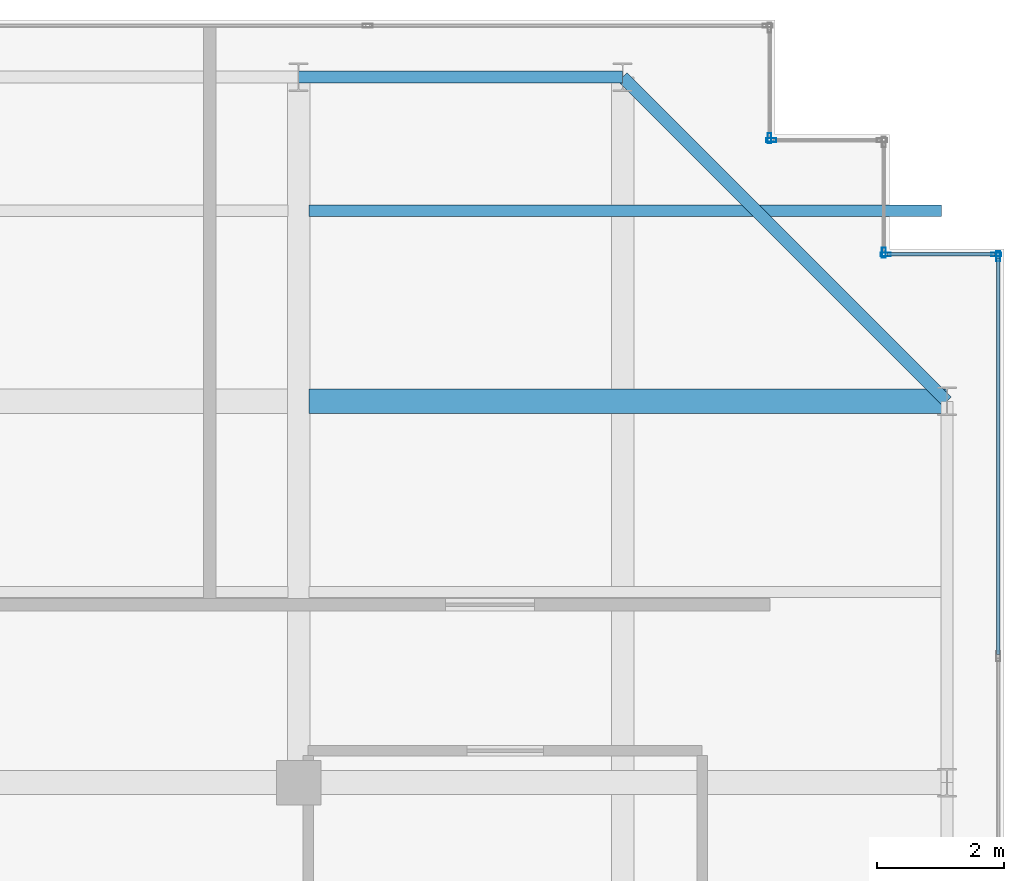
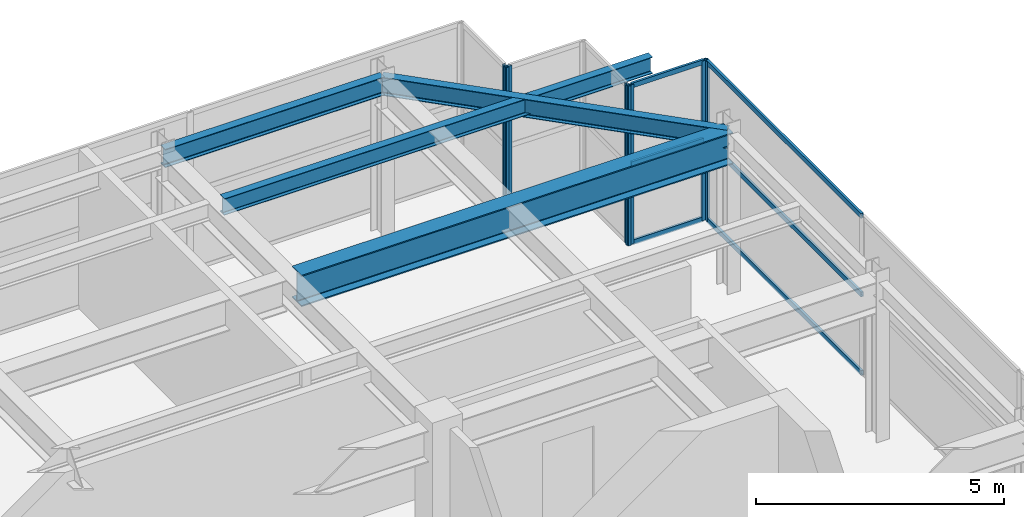
# One storey, part 27 of 32: 12 members, 4 beams, 5 elements without a shape of their own.
"""IFC4 building model written with IfcOpenShell, lengths in metres."""

from ifc_helpers import new_model, si_unit, direction, frame, origin, origin_2d, place, context, subcontext, project, spatial, hollow_rectangle, i_section, extrude, source, transform, mapped, material, layer, layer_set, material_profile, profile_set, type_object, element, aggregate, save


model = new_model("IFC4")

# Units and contexts
model_context = context("Model", 3, precision=1e-05, world=origin(), true_north=direction((0.0, 1.0)))
body_context = subcontext(model_context, "Body", "Model", "MODEL_VIEW")
ifc_project = project(units=[si_unit("LENGTHUNIT", "METRE"), si_unit("AREAUNIT", "SQUARE_METRE"), si_unit("VOLUMEUNIT", "CUBIC_METRE"), si_unit("PLANEANGLEUNIT", "RADIAN"), si_unit("MASSUNIT", "GRAM", prefix="KILO")], contexts=[model_context])

# Site, building, storey
site_placement = place(None, origin())
site = spatial("IfcSite", under=ifc_project, at=site_placement, CompositionType="ELEMENT")
building_placement = place(site_placement, origin())
building = spatial("IfcBuilding", under=site, at=building_placement, Name="Khoralis Quay Care Tower", CompositionType="ELEMENT")
storey_placement = place(building_placement, frame((0.0, 0.0, 306.300048828125)))
storey = spatial("IfcBuildingStorey", under=building, at=storey_placement, Name="L80", CompositionType="ELEMENT", Elevation=306.300048828125)

# Beams
ifc_material_1 = material(Name="Steel S355", Category="steel")
ifc_material_profile_1 = material_profile(ifc_material_1, i_section(OverallWidth=0.18994140625, OverallDepth=0.449951171875, WebThickness=0.009521484375, FlangeThickness=0.0146484375, FilletRadius=0.02099609375, at=origin_2d()), Name="Steel S355")
ifc_profile_set_1 = profile_set([ifc_material_profile_1], Name="Steel S355")
beam_type_1 = type_object("IfcBeamType", Name="BM-IPE450", PredefinedType="SPANDREL", material=ifc_profile_set_1)
shared_shape_1 = source(origin(), body_context, "Body", "SweptSolid", [
    extrude(i_section(OverallWidth=0.18994140625, OverallDepth=0.449951171875, WebThickness=0.009521484375, FlangeThickness=0.0146484375, FilletRadius=0.02099609375, at=origin_2d()), origin(), (0.0, 0.0, 1.0), 5.10009765625),
])
beam_1_placement = place(storey_placement, frame((30.89990234375, 41.10009765625, 3.695068359375), z_axis=(1.0, 0.0, 0.0), x_axis=(0.0, 1.0, 0.0)))
element("IfcBeam", 1, at=beam_1_placement, inside=storey, type_object=beam_type_1, Name="BM-TSP-L80-08", PredefinedType="SPANDREL", context=body_context, shape_type="MappedRepresentation", body=[
    mapped(shared_shape_1, transform((0.0, 0.0, 0.0), scale=1.0)),
])
shared_shape_2 = source(origin(), body_context, "Body", "SweptSolid", [
    extrude(i_section(OverallWidth=0.18994140625, OverallDepth=0.449951171875, WebThickness=0.009521484375, FlangeThickness=0.0146484375, FilletRadius=0.02099609375, at=origin_2d()), origin(), (0.0, 0.0, 1.0), 7.212646484375),
])
beam_2_placement = place(storey_placement, frame((36.0, 41.10009765625, 3.695068359375), z_axis=(0.707106781187, -0.707106781187, 0.0), x_axis=(0.707106781187, 0.707106781187, 0.0)))
element("IfcBeam", 2, at=beam_2_placement, inside=storey, type_object=beam_type_1, Name="BM-TCR-L80-20", PredefinedType="SPANDREL", context=body_context, shape_type="MappedRepresentation", body=[
    mapped(shared_shape_2, transform((0.0, 0.0, 0.0), scale=1.0)),
])
ifc_material_profile_2 = material_profile(ifc_material_1, i_section(OverallWidth=0.381103515625, OverallDepth=0.77294921875, WebThickness=0.0166015625, FlangeThickness=0.027587890625, FilletRadius=0.02197265625, at=origin_2d()), Name="Steel S355")
ifc_profile_set_2 = profile_set([ifc_material_profile_2], Name="Steel S355")
beam_type_2 = type_object("IfcBeamType", Name="BM-W760X257", PredefinedType="BEAM", material=ifc_profile_set_2)
shared_shape_3 = source(origin(), body_context, "Body", "SweptSolid", [
    extrude(i_section(OverallWidth=0.381103515625, OverallDepth=0.77294921875, WebThickness=0.0166015625, FlangeThickness=0.027587890625, FilletRadius=0.02197265625, at=origin_2d()), origin(), (0.0, 0.0, 1.0), 10.03466796875),
])
beam_3_placement = place(storey_placement, frame((31.0654296875, 36.0, 3.533447265625), z_axis=(1.0, 0.0, 0.0), x_axis=(0.0, 1.0, 0.0)))
element("IfcBeam", 3, at=beam_3_placement, inside=storey, type_object=beam_type_2, Name="BM-TGXE-L80-360", PredefinedType="BEAM", context=body_context, shape_type="MappedRepresentation", body=[
    mapped(shared_shape_3, transform((0.0, 0.0, 0.0), scale=1.0)),
])
ifc_material_profile_3 = material_profile(ifc_material_1, i_section(OverallWidth=0.177978515625, OverallDepth=0.406982421875, WebThickness=0.0078125, FlangeThickness=0.0126953125, FilletRadius=0.012939453125, at=origin_2d()), Name="Steel S355")
ifc_profile_set_3 = profile_set([ifc_material_profile_3], Name="Steel S355")
beam_type_3 = type_object("IfcBeamType", Name="BM-W410X60", PredefinedType="JOIST", material=ifc_profile_set_3)
shared_shape_4 = source(origin(), body_context, "Body", "SweptSolid", [
    extrude(i_section(OverallWidth=0.177978515625, OverallDepth=0.406982421875, WebThickness=0.0078125, FlangeThickness=0.0126953125, FilletRadius=0.012939453125, at=origin_2d()), origin(), (0.0, 0.0, 1.0), 9.95361328125),
])
beam_4_placement = place(storey_placement, frame((31.0654296875, 39.0, 3.716552734375), z_axis=(1.0, 0.0, 0.0), x_axis=(0.0, 1.0, 0.0)))
element("IfcBeam", 4, at=beam_4_placement, inside=storey, type_object=beam_type_3, Name="BM-TJS-L80-28", PredefinedType="JOIST", context=body_context, shape_type="MappedRepresentation", body=[
    mapped(shared_shape_4, transform((0.0, 0.0, 0.0), scale=1.0)),
])

# Curtain wall, members
ifc_material_2 = material(Name="Pale anodised aluminium", Category="aluminium")
ifc_layer = layer(ifc_material_2, 0.199951171875)
ifc_layer_set = layer_set([ifc_layer], Name="Pale anodised aluminium")
curtain_wall_type = type_object("IfcCurtainWallType", Name="CW-SYS-LANTERN", PredefinedType="NOTDEFINED", material=ifc_layer_set)
curtain_wall_1_placement = place(storey_placement, origin())
curtain_wall_1 = element("IfcCurtainWall", 5, at=curtain_wall_1_placement, inside=storey, type_object=curtain_wall_type, Name="L80 Unitised Curtain Wall CW-LN-L80-06", PredefinedType="NOTDEFINED")
ifc_material_profile_4 = material_profile(ifc_material_2, hollow_rectangle(XDim=0.054931640625, YDim=0.1201171875, WallThickness=0.00390625, at=origin_2d()), Name="Pale anodised aluminium")
ifc_profile_set_4 = profile_set([ifc_material_profile_4], Name="Pale anodised aluminium")
member_type_1 = type_object("IfcMemberType", Name="CW-TRN-120", PredefinedType="USERDEFINED", material=ifc_profile_set_4)
shared_shape_5 = source(origin(), body_context, "Body", "SweptSolid", [
    extrude(hollow_rectangle(XDim=0.054931640625, YDim=0.1201171875, WallThickness=0.00390625, at=origin_2d()), origin(), (0.0, 0.0, 1.0), 6.23388671875),
])
member_1_placement = place(storey_placement, frame((41.909912109375, 32.01611328125, 0.030029296875), z_axis=(0.0, 1.0, 0.0), x_axis=(-1.0, 0.0, 0.0)))
member_1 = element("IfcMember", 6, at=member_1_placement, type_object=member_type_1, Name="CW5 transom 5.1", ObjectType="TRANSOM", PredefinedType="USERDEFINED", context=body_context, shape_type="MappedRepresentation", body=[
    mapped(shared_shape_5, transform((0.0, 0.0, 0.0), scale=1.0)),
])
member_2_placement = place(storey_placement, frame((41.909912109375, 32.01611328125, 1.9599609375), z_axis=(0.0, 1.0, 0.0), x_axis=(-1.0, 0.0, 0.0)))
member_2 = element("IfcMember", 7, at=member_2_placement, type_object=member_type_1, Name="CW5 transom 5.2", ObjectType="TRANSOM", PredefinedType="USERDEFINED", context=body_context, shape_type="MappedRepresentation", body=[
    mapped(shared_shape_5, transform((0.0, 0.0, 0.0), scale=1.0)),
])
member_3_placement = place(storey_placement, frame((41.909912109375, 32.01611328125, 3.889892578125), z_axis=(0.0, 1.0, 0.0), x_axis=(-1.0, 0.0, 0.0)))
member_3 = element("IfcMember", 8, at=member_3_placement, type_object=member_type_1, Name="CW5 transom 5.3", ObjectType="TRANSOM", PredefinedType="USERDEFINED", context=body_context, shape_type="MappedRepresentation", body=[
    mapped(shared_shape_5, transform((0.0, 0.0, 0.0), scale=1.0)),
])

curtain_wall_2_placement = place(storey_placement, origin())
curtain_wall_2 = element("IfcCurtainWall", 9, at=curtain_wall_2_placement, inside=storey, type_object=curtain_wall_type, Name="L80 Unitised Curtain Wall CW-LN-L80-07", PredefinedType="NOTDEFINED")
shared_shape_6 = source(origin(), body_context, "Body", "SweptSolid", [
    extrude(hollow_rectangle(XDim=0.054931640625, YDim=0.1201171875, WallThickness=0.00390625, at=origin_2d()), origin(), (0.0, 0.0, 1.0), 1.68017578125),
])
member_4_placement = place(storey_placement, frame((41.85009765625, 38.31005859375, 0.030029296875), z_axis=(-1.0, 0.0, 0.0), x_axis=(0.0, -1.0, 0.0)))
member_4 = element("IfcMember", 10, at=member_4_placement, type_object=member_type_1, Name="CW5 transom 1.1", ObjectType="TRANSOM", PredefinedType="USERDEFINED", context=body_context, shape_type="MappedRepresentation", body=[
    mapped(shared_shape_6, transform((0.0, 0.0, 0.0), scale=1.0)),
])
member_5_placement = place(storey_placement, frame((41.85009765625, 38.31005859375, 1.9599609375), z_axis=(-1.0, 0.0, 0.0), x_axis=(0.0, -1.0, 0.0)))
member_5 = element("IfcMember", 11, at=member_5_placement, type_object=member_type_1, Name="CW5 transom 1.2", ObjectType="TRANSOM", PredefinedType="USERDEFINED", context=body_context, shape_type="MappedRepresentation", body=[
    mapped(shared_shape_6, transform((0.0, 0.0, 0.0), scale=1.0)),
])
member_6_placement = place(storey_placement, frame((41.85009765625, 38.31005859375, 3.889892578125), z_axis=(-1.0, 0.0, 0.0), x_axis=(0.0, -1.0, 0.0)))
member_6 = element("IfcMember", 12, at=member_6_placement, type_object=member_type_1, Name="CW5 transom 1.3", ObjectType="TRANSOM", PredefinedType="USERDEFINED", context=body_context, shape_type="MappedRepresentation", body=[
    mapped(shared_shape_6, transform((0.0, 0.0, 0.0), scale=1.0)),
])

# Member
ifc_material_profile_5 = material_profile(ifc_material_2, hollow_rectangle(XDim=0.06005859375, YDim=0.159912109375, WallThickness=0.00390625, at=origin_2d()), Name="Pale anodised aluminium")
ifc_profile_set_5 = profile_set([ifc_material_profile_5], Name="Pale anodised aluminium")
member_type_2 = type_object("IfcMemberType", Name="CW-MUL-160", PredefinedType="MULLION", material=ifc_profile_set_5)
shared_shape_7 = source(origin(), body_context, "Body", "SweptSolid", [
    extrude(hollow_rectangle(XDim=0.06005859375, YDim=0.159912109375, WallThickness=0.00390625, at=origin_2d()), origin(), (0.0, 0.0, 1.0), 3.919921875),
])
member_7_placement = place(storey_placement, frame((41.909912109375, 38.280029296875, 0.0), z_axis=(0.0, 0.0, 1.0), x_axis=(-1.0, 0.0, 0.0)))
member_7 = element("IfcMember", 13, at=member_7_placement, type_object=member_type_2, Name="CW5 mullion 6", PredefinedType="MULLION", context=body_context, shape_type="MappedRepresentation", body=[
    mapped(shared_shape_7, transform((0.0, 0.0, 0.0), scale=1.0)),
])

aggregate(curtain_wall_1, [member_7, member_1, member_2, member_3])

member_8_placement = place(storey_placement, frame((41.8798828125, 38.31005859375, 0.0), z_axis=(0.0, 0.0, 1.0), x_axis=(0.0, -1.0, 0.0)))
member_8 = element("IfcMember", 14, at=member_8_placement, type_object=member_type_2, Name="CW5 mullion 1", PredefinedType="MULLION", context=body_context, shape_type="MappedRepresentation", body=[
    mapped(shared_shape_7, transform((0.0, 0.0, 0.0), scale=1.0)),
])

member_9_placement = place(storey_placement, frame((40.139892578125, 38.31005859375, 0.0), z_axis=(0.0, 0.0, 1.0), x_axis=(0.0, -1.0, 0.0)))
member_9 = element("IfcMember", 15, at=member_9_placement, type_object=member_type_2, Name="CW5 mullion 2", PredefinedType="MULLION", context=body_context, shape_type="MappedRepresentation", body=[
    mapped(shared_shape_7, transform((0.0, 0.0, 0.0), scale=1.0)),
])

aggregate(curtain_wall_2, [member_8, member_9, member_4, member_5, member_6])

# Curtain wall, member
curtain_wall_3_placement = place(storey_placement, origin())
curtain_wall_3 = element("IfcCurtainWall", 16, at=curtain_wall_3_placement, inside=storey, type_object=curtain_wall_type, Name="L80 Unitised Curtain Wall CW-LN-L80-08", PredefinedType="NOTDEFINED")
member_10_placement = place(storey_placement, frame((40.110107421875, 38.340087890625, 0.0), z_axis=(0.0, 0.0, 1.0), x_axis=(-1.0, 0.0, 0.0)))
member_10 = element("IfcMember", 17, at=member_10_placement, type_object=member_type_2, Name="CW5 mullion 1", PredefinedType="MULLION", context=body_context, shape_type="MappedRepresentation", body=[
    mapped(shared_shape_7, transform((0.0, 0.0, 0.0), scale=1.0)),
])
aggregate(curtain_wall_3, [member_10])

curtain_wall_4_placement = place(storey_placement, origin())
curtain_wall_4 = element("IfcCurtainWall", 18, at=curtain_wall_4_placement, inside=storey, type_object=curtain_wall_type, Name="L80 Unitised Curtain Wall CW-LN-L80-09", PredefinedType="NOTDEFINED")
member_11_placement = place(storey_placement, frame((38.340087890625, 40.110107421875, 0.0), z_axis=(0.0, 0.0, 1.0), x_axis=(0.0, -1.0, 0.0)))
member_11 = element("IfcMember", 19, at=member_11_placement, type_object=member_type_2, Name="CW5 mullion 2", PredefinedType="MULLION", context=body_context, shape_type="MappedRepresentation", body=[
    mapped(shared_shape_7, transform((0.0, 0.0, 0.0), scale=1.0)),
])
aggregate(curtain_wall_4, [member_11])

curtain_wall_5_placement = place(storey_placement, origin())
curtain_wall_5 = element("IfcCurtainWall", 20, at=curtain_wall_5_placement, inside=storey, type_object=curtain_wall_type, Name="L80 Unitised Curtain Wall CW-LN-L80-10", PredefinedType="NOTDEFINED")
member_12_placement = place(storey_placement, frame((38.31005859375, 40.139892578125, 0.0), z_axis=(0.0, 0.0, 1.0), x_axis=(-1.0, 0.0, 0.0)))
member_12 = element("IfcMember", 21, at=member_12_placement, type_object=member_type_2, Name="CW5 mullion 1", PredefinedType="MULLION", context=body_context, shape_type="MappedRepresentation", body=[
    mapped(shared_shape_7, transform((0.0, 0.0, 0.0), scale=1.0)),
])
aggregate(curtain_wall_5, [member_12])

save(model, "model.ifc")
